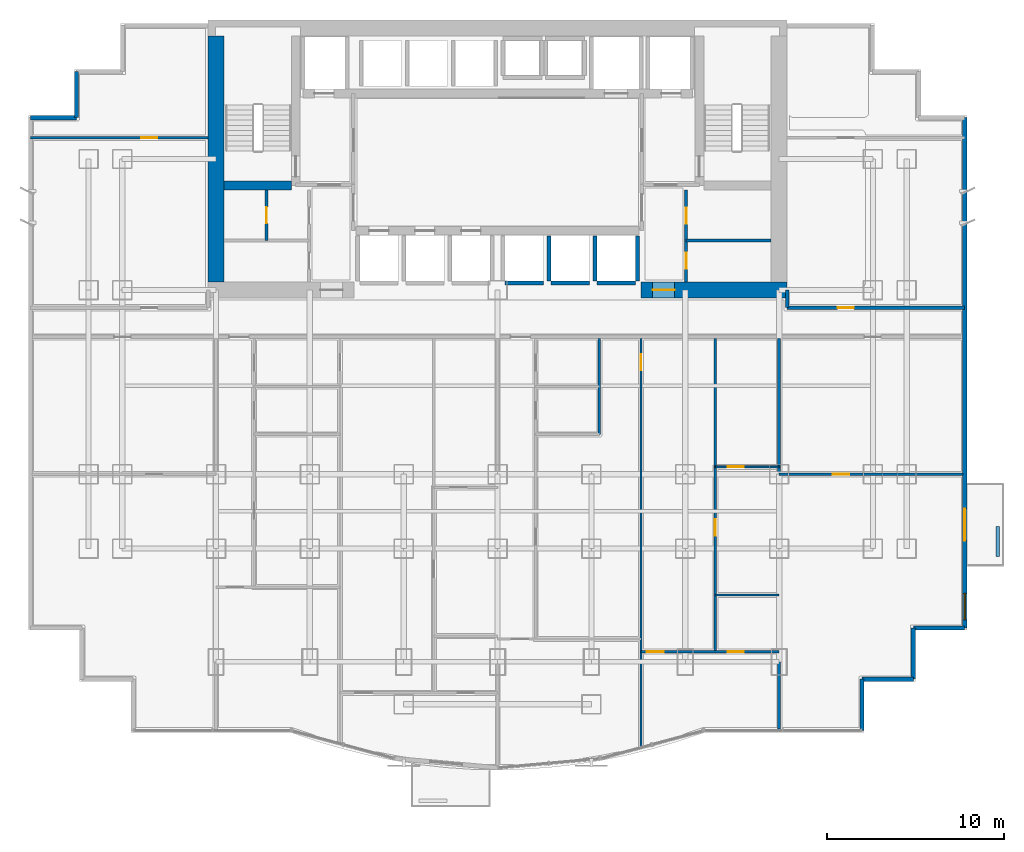
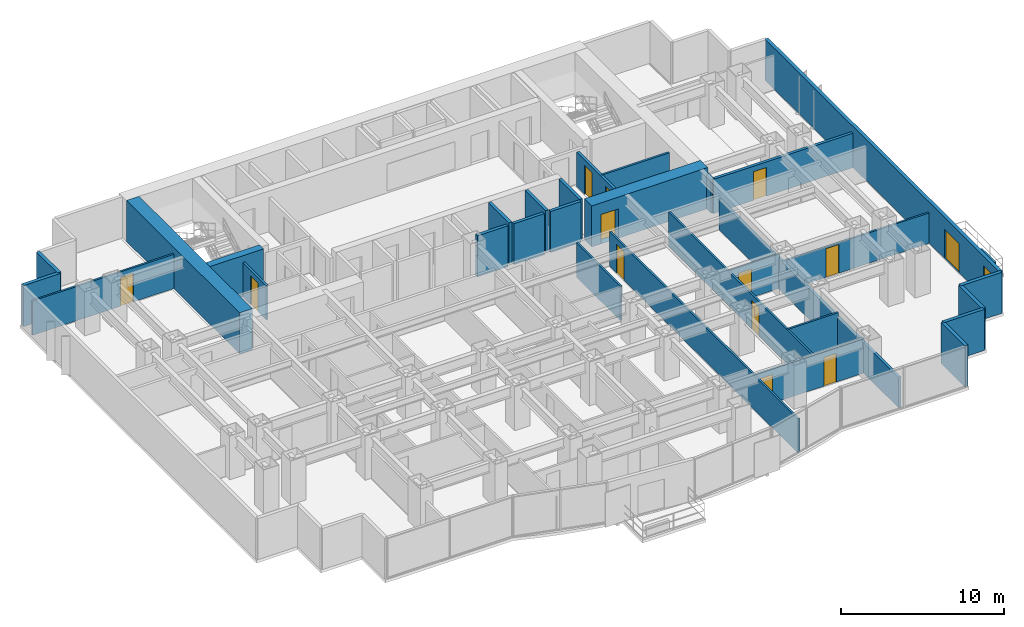
# One storey, part 6 of 10: 31 walls, 13 doors, 1 window, 14 openings.
"""IFC4 building model written with IfcOpenShell, lengths in metres."""

from ifc_helpers import new_model, si_unit, direction, frame, frame_2d, origin, place, context, subcontext, project, spatial, rectangle, extrude, material, layer, layer_set, type_object, element, fill, save


model = new_model("IFC4")

# Units and contexts
model_context = context("Model", 3, precision=1e-05, world=origin(), true_north=direction((0.0, 1.0)))
body_context = subcontext(model_context, "Body", "Model", "MODEL_VIEW")
ifc_project = project(units=[si_unit("LENGTHUNIT", "METRE"), si_unit("AREAUNIT", "SQUARE_METRE"), si_unit("VOLUMEUNIT", "CUBIC_METRE"), si_unit("PLANEANGLEUNIT", "RADIAN"), si_unit("MASSUNIT", "GRAM", prefix="KILO")], contexts=[model_context])

# Site, building, storey
site_placement = place(None, origin())
site = spatial("IfcSite", under=ifc_project, at=site_placement, CompositionType="ELEMENT")
building_placement = place(site_placement, origin())
building = spatial("IfcBuilding", under=site, at=building_placement, Name="Qianlan Lanfeng Residences", CompositionType="ELEMENT")
storey_placement = place(building_placement, frame((0.0, 0.0, 50.60009765625)))
storey = spatial("IfcBuildingStorey", under=building, at=storey_placement, Name="L13", CompositionType="ELEMENT", Elevation=50.60009765625)

# Walls
ifc_material_1 = material(Name="Concrete C70", Category="concrete")
ifc_layer_1 = layer(ifc_material_1, 0.5)
ifc_layer_set_1 = layer_set([ifc_layer_1], Name="Concrete C70")
wall_type_1 = type_object("IfcWallType", Name="CW-RC-500", PredefinedType="SHEAR", material=ifc_layer_set_1)
wall_1_placement = place(storey_placement, frame((11.050048828125, 31.10009765625, 0.0), z_axis=(0.0, 0.0, 1.0), x_axis=(1.0, 0.0, 0.0)))
element("IfcWall", 1, at=wall_1_placement, inside=storey, type_object=wall_type_1, Name="L13 Core Shear Wall ST1S", PredefinedType="SHEAR", context=body_context, shape_type="SweptSolid", body=[
    extrude(rectangle(XDim=3.800048828125, YDim=0.5, at=frame_2d((1.89990234375, 0.0))), origin(), (0.0, 0.0, 1.0), 3.079833984375),
])
ifc_layer_2 = layer(ifc_material_1, 0.89990234375)
ifc_layer_set_2 = layer_set([ifc_layer_2], Name="Concrete C70")
wall_type_2 = type_object("IfcWallType", Name="CW-RC-900", PredefinedType="SHEAR", material=ifc_layer_set_2)
wall_2_placement = place(storey_placement, frame((10.60009765625, 25.64990234375, 0.0), z_axis=(0.0, 0.0, 1.0), x_axis=(0.0, 1.0, 0.0)))
element("IfcWall", 2, at=wall_2_placement, inside=storey, type_object=wall_type_2, Name="L13 Core Shear Wall W", PredefinedType="SHEAR", context=body_context, shape_type="SweptSolid", body=[
    extrude(rectangle(XDim=13.900146484375, YDim=0.89990234375, at=frame_2d((6.9501953125, 0.0))), origin(), (0.0, 0.0, 1.0), 3.079833984375),
])

# Wall, opening, door
wall_3_placement = place(storey_placement, frame((34.60009765625, 25.199951171875, 0.0), z_axis=(0.0, 0.0, 1.0), x_axis=(1.0, 0.0, 0.0)))
wall_3 = element("IfcWall", 3, at=wall_3_placement, inside=storey, type_object=wall_type_2, Name="L13 Core Shear Wall SE", PredefinedType="SHEAR", context=body_context, shape_type="SweptSolid", body=[
    extrude(rectangle(XDim=8.25, YDim=0.89990234375, at=frame_2d((4.125, 0.0))), origin(), (0.0, 0.0, 1.0), 3.079833984375),
])
opening_1_placement = place(wall_3_placement, frame((0.64990234375, 0.0, 0.0)))
opening_1 = element("IfcOpeningElement", 4, at=opening_1_placement, cuts=wall_3, Name="Opening L13-D02", PredefinedType="OPENING", context=body_context, shape_type="SweptSolid", body=[
    extrude(rectangle(XDim=1.25, YDim=2.199951171875, at=frame_2d((0.625, 1.10009765625))), frame((0.0, 0.4599609375, 0.0), z_axis=(0.0, -1.0, 0.0), x_axis=(1.0, 0.0, 0.0)), (0.0, 0.0, 1.0), 0.919921875),
])
ifc_material_2 = material(Name="Painted Galvanised Steel Fire Door", Category="steel")
door_type_1 = type_object("IfcDoorType", Name="DT-FFL", OperationType="NOTDEFINED", PredefinedType="DOOR", material=ifc_material_2)
door_1_placement = place(opening_1_placement, frame((1.25, 0.0, 0.0), z_axis=(0.0, 0.0, 1.0), x_axis=(-1.0, 0.0, 0.0)))
door_1 = element("IfcDoor", 5, at=door_1_placement, inside=storey, type_object=door_type_1, Name="L13 East Core Lobby Smoke Door L13-D02 (DT-FFL)", OperationType="SINGLE_SWING_LEFT", OverallHeight=2.199951171875, OverallWidth=1.25, PredefinedType="DOOR", context=body_context, shape_type="SweptSolid", body=[
    extrude(rectangle(XDim=1.25, YDim=2.199951171875, at=frame_2d((0.625, 1.10009765625))), frame((0.0, 0.02490234375, 0.0), z_axis=(0.0, -1.0, 0.0), x_axis=(1.0, 0.0, 0.0)), (0.0, 0.0, 1.0), 0.050048828125),
])
fill(opening_1, door_1)

# Walls
ifc_material_3 = material(Name="Concrete C42", Category="concrete")
ifc_layer_3 = layer(ifc_material_3, 0.239990234375)
ifc_layer_set_3 = layer_set([ifc_layer_3], Name="Concrete C42")
wall_type_3 = type_object("IfcWallType", Name="EW-240", PredefinedType="SOLIDWALL", material=ifc_layer_set_3)
for number, where, z_axis, x_axis, name in (
    (6, (47.080078125, 0.320068359375, 0.0), (0.0, 0.0, 1.0), (0.0, 1.0, 0.0), "L13 Exterior Facade Spandrel Wall 6"),
    (7, (47.080078125, 3.219970703125, 0.0), (0.0, 0.0, 1.0), (1.0, 0.0, 0.0), "L13 Exterior Facade Spandrel Wall 7"),
):
    element("IfcWall", number, at=place(storey_placement, frame(where, z_axis=z_axis, x_axis=x_axis)), inside=storey, type_object=wall_type_3, Name=name, PredefinedType="SOLIDWALL", context=body_context, shape_type="SweptSolid", body=[
        extrude(rectangle(XDim=2.89990234375, YDim=0.239990234375, at=frame_2d((1.449951171875, 0.0))), origin(), (0.0, 0.0, 1.0), 3.079833984375),
    ])
wall_4_placement = place(storey_placement, frame((49.97998046875, 3.219970703125, 0.0), z_axis=(0.0, 0.0, 1.0), x_axis=(0.0, 1.0, 0.0)))
element("IfcWall", 8, at=wall_4_placement, inside=storey, type_object=wall_type_3, Name="L13 Exterior Facade Spandrel Wall 8", PredefinedType="SOLIDWALL", context=body_context, shape_type="SweptSolid", body=[
    extrude(rectangle(XDim=2.900146484375, YDim=0.239990234375, at=frame_2d((1.4501953125, 0.0))), origin(), (0.0, 0.0, 1.0), 3.079833984375),
])
wall_5_placement = place(storey_placement, frame((49.97998046875, 6.1201171875, 0.0), z_axis=(0.0, 0.0, 1.0), x_axis=(1.0, 0.0, 0.0)))
element("IfcWall", 9, at=wall_5_placement, inside=storey, type_object=wall_type_3, Name="L13 Exterior Facade Spandrel Wall 9", PredefinedType="SOLIDWALL", context=body_context, shape_type="SweptSolid", body=[
    extrude(rectangle(XDim=2.89990234375, YDim=0.239990234375, at=frame_2d((1.449951171875, 0.0))), origin(), (0.0, 0.0, 1.0), 3.079833984375),
])

# Wall, openings, door, window
wall_6_placement = place(storey_placement, frame((52.8798828125, 6.1201171875, 0.0), z_axis=(0.0, 0.0, 1.0), x_axis=(0.0, 1.0, 0.0)))
wall_6 = element("IfcWall", 10, at=wall_6_placement, inside=storey, type_object=wall_type_3, Name="L13 Terrace/Balcony Access Exterior Wall 10", PredefinedType="SOLIDWALL", context=body_context, shape_type="SweptSolid", body=[
    extrude(rectangle(XDim=28.809814453125, YDim=0.239990234375, at=frame_2d((14.40478515625, 0.0))), origin(), (0.0, 0.0, 1.0), 3.079833984375),
])
opening_2_placement = place(wall_6_placement, frame((4.929931640625, 0.0, 0.0)))
opening_2 = element("IfcOpeningElement", 11, at=opening_2_placement, cuts=wall_6, Name="Opening L13-D-EB-S", PredefinedType="OPENING", context=body_context, shape_type="SweptSolid", body=[
    extrude(rectangle(XDim=1.800048828125, YDim=2.199951171875, at=frame_2d((0.89990234375, 1.10009765625))), frame((0.0, 0.1298828125, 0.0), z_axis=(0.0, -1.0, 0.0), x_axis=(1.0, 0.0, 0.0)), (0.0, 0.0, 1.0), 0.260009765625),
])
opening_3_placement = place(wall_6_placement, frame((0.449951171875, 0.0, 0.75)))
opening_3 = element("IfcOpeningElement", 12, at=opening_3_placement, cuts=wall_6, Name="Opening W-02", PredefinedType="OPENING", context=body_context, shape_type="SweptSolid", body=[
    extrude(rectangle(XDim=1.5, YDim=1.60009765625, at=frame_2d((0.75, 0.800048828125))), frame((0.0, 0.1298828125, 0.0), z_axis=(0.0, -1.0, 0.0), x_axis=(1.0, 0.0, 0.0)), (0.0, 0.0, 1.0), 0.260009765625),
])
ifc_material_4 = material(Name="Anodised Bronze Aluminium Framed Glass", Category="aluminium")
door_type_2 = type_object("IfcDoorType", Name="DT-BAL1", OperationType="NOTDEFINED", PredefinedType="DOOR", material=ifc_material_4)
door_2_placement = place(opening_2_placement, frame((1.800048828125, 0.0, 0.0), z_axis=(0.0, 0.0, 1.0), x_axis=(-1.0, 0.0, 0.0)))
door_2 = element("IfcDoor", 13, at=door_2_placement, inside=storey, type_object=door_type_2, Name="L13 Exterior Access Door EB-S", OperationType="DOUBLE_DOOR_SLIDING", OverallHeight=2.199951171875, OverallWidth=1.800048828125, PredefinedType="DOOR", context=body_context, shape_type="SweptSolid", body=[
    extrude(rectangle(XDim=1.800048828125, YDim=2.199951171875, at=frame_2d((0.89990234375, 1.10009765625))), frame((0.0, 0.02490234375, 0.0), z_axis=(0.0, -1.0, 0.0), x_axis=(1.0, 0.0, 0.0)), (0.0, 0.0, 1.0), 0.050048828125),
])
fill(opening_2, door_2)
ifc_material_5 = material(Name="Anodised Bronze Aluminium Framed Double Glazing", Category="aluminium")
window_type = type_object("IfcWindowType", Name="W-02", PartitioningType="SINGLE_PANEL", PredefinedType="WINDOW", material=ifc_material_5)
window_placement = place(opening_3_placement, origin())
window = element("IfcWindow", 14, at=window_placement, inside=storey, type_object=window_type, Name="L13 Exterior Window W-02", OverallHeight=1.60009765625, OverallWidth=1.5, PartitioningType="SINGLE_PANEL", PredefinedType="WINDOW", context=body_context, shape_type="SweptSolid", body=[
    extrude(rectangle(XDim=1.5, YDim=1.60009765625, at=frame_2d((0.75, 0.800048828125))), frame((0.0, 0.030029296875, 0.0), z_axis=(0.0, -1.0, 0.0), x_axis=(1.0, 0.0, 0.0)), (0.0, 0.0, 1.0), 0.06005859375),
])
fill(opening_3, window)

# Walls
wall_7_placement = place(storey_placement, frame((2.719970703125, 37.530029296875, 0.0), z_axis=(0.0, 0.0, 1.0), x_axis=(0.0, -1.0, 0.0)))
element("IfcWall", 15, at=wall_7_placement, inside=storey, type_object=wall_type_3, Name="L13 Exterior Facade Spandrel Wall 19", PredefinedType="SOLIDWALL", context=body_context, shape_type="SweptSolid", body=[
    extrude(rectangle(XDim=2.60009765625, YDim=0.239990234375, at=frame_2d((1.300048828125, 0.0))), origin(), (0.0, 0.0, 1.0), 3.079833984375),
])
wall_8_placement = place(storey_placement, frame((2.719970703125, 34.929931640625, 0.0), z_axis=(0.0, 0.0, 1.0), x_axis=(-1.0, 0.0, 0.0)))
element("IfcWall", 16, at=wall_8_placement, inside=storey, type_object=wall_type_3, Name="L13 Exterior Facade Spandrel Wall 20", PredefinedType="SOLIDWALL", context=body_context, shape_type="SweptSolid", body=[
    extrude(rectangle(XDim=2.599853515625, YDim=0.239990234375, at=frame_2d((1.2998046875, 0.0))), origin(), (0.0, 0.0, 1.0), 3.079833984375),
])
ifc_layer_4 = layer(ifc_material_3, 0.199951171875)
ifc_layer_set_4 = layer_set([ifc_layer_4], Name="Concrete C42")
wall_type_4 = type_object("IfcWallType", Name="PL-TREE-200", PredefinedType="PARAPET", material=ifc_layer_set_4)
wall_9_placement = place(storey_placement, frame((54.75, 10.14990234375, 0.0), z_axis=(0.0, 0.0, 1.0), x_axis=(0.0, 1.0, 0.0)))
element("IfcWall", 17, at=wall_9_placement, inside=storey, type_object=wall_type_4, Name="L13 East Tree Planter Curb EB-S", PredefinedType="PARAPET", context=body_context, shape_type="SweptSolid", body=[
    extrude(rectangle(XDim=1.7001953125, YDim=0.199951171875, at=frame_2d((0.85009765625, 0.0))), origin(), (0.0, 0.0, 1.0), 0.64990234375),
])

# Wall, opening, door
ifc_material_6 = material(Name="Demountable Acoustic Framing Partition 110 mm")
ifc_layer_5 = layer(ifc_material_6, 0.110107421875)
ifc_layer_set_5 = layer_set([ifc_layer_5], Name="Demountable Acoustic Framing Partition 110 mm")
wall_type_5 = type_object("IfcWallType", Name="PW-110", PredefinedType="MOVABLE", material=ifc_layer_set_5)
wall_10_placement = place(storey_placement, frame((38.800048828125, 15.214111328125, 0.0), z_axis=(0.0, 0.0, 1.0), x_axis=(1.0, 0.0, 0.0)))
wall_10 = element("IfcWall", 18, at=wall_10_placement, inside=storey, type_object=wall_type_5, Name="L13 U02 Wardrobe Split", PredefinedType="MOVABLE", context=body_context, shape_type="SweptSolid", body=[
    extrude(rectangle(XDim=3.599853515625, YDim=0.110107421875, at=frame_2d((1.7998046875, 0.0))), origin(), (0.0, 0.0, 1.0), 2.56982421875),
])
opening_4_placement = place(wall_10_placement, frame((0.68994140625, 0.0, 0.0)))
opening_4 = element("IfcOpeningElement", 19, at=opening_4_placement, cuts=wall_10, Name="Opening L13-D35", PredefinedType="OPENING", context=body_context, shape_type="SweptSolid", body=[
    extrude(rectangle(XDim=0.919921875, YDim=2.14990234375, at=frame_2d((0.4599609375, 1.074951171875))), frame((0.0, 0.06494140625, 0.0), z_axis=(0.0, -1.0, 0.0), x_axis=(1.0, 0.0, 0.0)), (0.0, 0.0, 1.0), 0.130126953125),
])
ifc_material_7 = material(Name="Glazed Timber Kitchen/Study Door", Category="wood")
door_type_3 = type_object("IfcDoorType", Name="DT-INT", OperationType="NOTDEFINED", PredefinedType="DOOR", material=ifc_material_7)
door_3_placement = place(opening_4_placement, origin())
door_3 = element("IfcDoor", 20, at=door_3_placement, inside=storey, type_object=door_type_3, Name="L13 U02 Dressing Inner Door L13-D35 (DT-INT)", OperationType="SINGLE_SWING_RIGHT", OverallHeight=2.14990234375, OverallWidth=0.919921875, PredefinedType="DOOR", context=body_context, shape_type="SweptSolid", body=[
    extrude(rectangle(XDim=0.919921875, YDim=2.14990234375, at=frame_2d((0.4599609375, 1.074951171875))), frame((0.0, 0.02490234375, 0.0), z_axis=(0.0, -1.0, 0.0), x_axis=(1.0, 0.0, 0.0)), (0.0, 0.0, 1.0), 0.050048828125),
])
fill(opening_4, door_3)

ifc_material_8 = material(Name="Moisture-Resistant Gypsum Partition 135 mm")
ifc_layer_6 = layer(ifc_material_8, 0.135009765625)
ifc_layer_set_6 = layer_set([ifc_layer_6], Name="Moisture-Resistant Gypsum Partition 135 mm")
wall_type_6 = type_object("IfcWallType", Name="PW-135", PredefinedType="PARTITIONING", material=ifc_layer_set_6)
wall_11_placement = place(storey_placement, frame((34.60009765625, -0.64990234375, 0.0), z_axis=(0.0, 0.0, 1.0), x_axis=(0.0, 1.0, 0.0)))
wall_11 = element("IfcWall", 21, at=wall_11_placement, inside=storey, type_object=wall_type_6, Name="L13 U02 Bay Spine Wall 1", PredefinedType="PARTITIONING", context=body_context, shape_type="SweptSolid", body=[
    extrude(rectangle(XDim=23.099853515625, YDim=0.135009765625, at=frame_2d((11.5498046875, 0.0))), origin(), (0.0, 0.0, 1.0), 2.56982421875),
])
opening_5_placement = place(wall_11_placement, frame((21.31494140625, 0.0, 0.0)))
opening_5 = element("IfcOpeningElement", 22, at=opening_5_placement, cuts=wall_11, Name="Opening L13-D27", PredefinedType="OPENING", context=body_context, shape_type="SweptSolid", body=[
    extrude(rectangle(XDim=0.919921875, YDim=2.14990234375, at=frame_2d((0.4599609375, 1.074951171875))), frame((0.0, 0.07763671875, 0.0), z_axis=(0.0, -1.0, 0.0), x_axis=(1.0, 0.0, 0.0)), (0.0, 0.0, 1.0), 0.155029296875),
])
door_4_placement = place(opening_5_placement, origin())
door_4 = element("IfcDoor", 23, at=door_4_placement, inside=storey, type_object=door_type_3, Name="L13 U02 Internal Hall Door L13-D27 (DT-INT)", OperationType="SINGLE_SWING_LEFT", OverallHeight=2.14990234375, OverallWidth=0.919921875, PredefinedType="DOOR", context=body_context, shape_type="SweptSolid", body=[
    extrude(rectangle(XDim=0.919921875, YDim=2.14990234375, at=frame_2d((0.4599609375, 1.074951171875))), frame((0.0, 0.02490234375, 0.0), z_axis=(0.0, -1.0, 0.0), x_axis=(1.0, 0.0, 0.0)), (0.0, 0.0, 1.0), 0.050048828125),
])
fill(opening_5, door_4)

# Wall
wall_12_placement = place(storey_placement, frame((32.25, 17.050048828125, 0.0), z_axis=(0.0, 0.0, 1.0), x_axis=(0.0, 1.0, 0.0)))
element("IfcWall", 24, at=wall_12_placement, inside=storey, type_object=wall_type_6, Name="L13 U02 Dining East Wall", PredefinedType="PARTITIONING", context=body_context, shape_type="SweptSolid", body=[
    extrude(rectangle(XDim=5.39990234375, YDim=0.135009765625, at=frame_2d((2.699951171875, 0.0))), origin(), (0.0, 0.0, 1.0), 2.56982421875),
])

# Wall, openings, doors
wall_13_placement = place(storey_placement, frame((34.60009765625, 4.779052734375, 0.0), z_axis=(0.0, 0.0, 1.0), x_axis=(1.0, 0.0, 0.0)))
wall_13 = element("IfcWall", 25, at=wall_13_placement, inside=storey, type_object=wall_type_6, Name="L13 U02 Master Bedroom North Wall", PredefinedType="PARTITIONING", context=body_context, shape_type="SweptSolid", body=[
    extrude(rectangle(XDim=7.7998046875, YDim=0.135009765625, at=frame_2d((3.89990234375, 0.0))), origin(), (0.0, 0.0, 1.0), 2.56982421875),
])
opening_6_placement = place(wall_13_placement, frame((0.324951171875, 0.0, 0.0)))
opening_6 = element("IfcOpeningElement", 26, at=opening_6_placement, cuts=wall_13, Name="Opening L13-D32", PredefinedType="OPENING", context=body_context, shape_type="SweptSolid", body=[
    extrude(rectangle(XDim=0.949951171875, YDim=2.14990234375, at=frame_2d((0.47509765625, 1.074951171875))), frame((0.0, 0.07763671875, 0.0), z_axis=(0.0, -1.0, 0.0), x_axis=(1.0, 0.0, 0.0)), (0.0, 0.0, 1.0), 0.155029296875),
])
opening_7_placement = place(wall_13_placement, frame((4.89990234375, 0.0, 0.0)))
opening_7 = element("IfcOpeningElement", 27, at=opening_7_placement, cuts=wall_13, Name="Opening L13-D33", PredefinedType="OPENING", context=body_context, shape_type="SweptSolid", body=[
    extrude(rectangle(XDim=0.89990234375, YDim=2.14990234375, at=frame_2d((0.449951171875, 1.074951171875))), frame((0.0, 0.07763671875, 0.0), z_axis=(0.0, -1.0, 0.0), x_axis=(1.0, 0.0, 0.0)), (0.0, 0.0, 1.0), 0.155029296875),
])
ifc_material_9 = material(Name="Painted Solid-Core Timber Leaf", Category="wood")
door_type_4 = type_object("IfcDoorType", Name="DT-BED", OperationType="NOTDEFINED", PredefinedType="DOOR", material=ifc_material_9)
door_5_placement = place(opening_6_placement, origin())
door_5 = element("IfcDoor", 28, at=door_5_placement, inside=storey, type_object=door_type_4, Name="L13 U02 Master Bedroom Door L13-D32 (DT-BED)", OperationType="SINGLE_SWING_RIGHT", OverallHeight=2.14990234375, OverallWidth=0.949951171875, PredefinedType="DOOR", context=body_context, shape_type="SweptSolid", body=[
    extrude(rectangle(XDim=0.949951171875, YDim=2.14990234375, at=frame_2d((0.47509765625, 1.074951171875))), frame((0.0, 0.02490234375, 0.0), z_axis=(0.0, -1.0, 0.0), x_axis=(1.0, 0.0, 0.0)), (0.0, 0.0, 1.0), 0.050048828125),
])
fill(opening_6, door_5)
ifc_material_10 = material(Name="Moisture-Resistant Timber Leaf", Category="wood")
door_type_5 = type_object("IfcDoorType", Name="DT-WC", OperationType="NOTDEFINED", PredefinedType="DOOR", material=ifc_material_10)
door_6_placement = place(opening_7_placement, origin())
door_6 = element("IfcDoor", 29, at=door_6_placement, inside=storey, type_object=door_type_5, Name="L13 U02 En-Suite Bathroom Door L13-D33 (DT-WC)", OperationType="SINGLE_SWING_RIGHT", OverallHeight=2.14990234375, OverallWidth=0.89990234375, PredefinedType="DOOR", context=body_context, shape_type="SweptSolid", body=[
    extrude(rectangle(XDim=0.89990234375, YDim=2.14990234375, at=frame_2d((0.449951171875, 1.074951171875))), frame((0.0, 0.02490234375, 0.0), z_axis=(0.0, -1.0, 0.0), x_axis=(1.0, 0.0, 0.0)), (0.0, 0.0, 1.0), 0.050048828125),
])
fill(opening_7, door_6)

# Wall, opening, door
wall_14_placement = place(storey_placement, frame((38.800048828125, 4.779052734375, 0.0), z_axis=(0.0, 0.0, 1.0), x_axis=(0.0, 1.0, 0.0)))
wall_14 = element("IfcWall", 30, at=wall_14_placement, inside=storey, type_object=wall_type_6, Name="L13 U02 Master Passage Wall", PredefinedType="PARTITIONING", context=body_context, shape_type="SweptSolid", body=[
    extrude(rectangle(XDim=17.6708984375, YDim=0.135009765625, at=frame_2d((8.83544921875, 0.0))), origin(), (0.0, 0.0, 1.0), 2.56982421875),
])
opening_8_placement = place(wall_14_placement, frame((6.55810546875, 0.0, 0.0)))
opening_8 = element("IfcOpeningElement", 31, at=opening_8_placement, cuts=wall_14, Name="Opening L13-D34", PredefinedType="OPENING", context=body_context, shape_type="SweptSolid", body=[
    extrude(rectangle(XDim=0.919921875, YDim=2.14990234375, at=frame_2d((0.4599609375, 1.074951171875))), frame((0.0, 0.07763671875, 0.0), z_axis=(0.0, -1.0, 0.0), x_axis=(1.0, 0.0, 0.0)), (0.0, 0.0, 1.0), 0.155029296875),
])
door_7_placement = place(opening_8_placement, origin())
door_7 = element("IfcDoor", 32, at=door_7_placement, inside=storey, type_object=door_type_3, Name="L13 U02 Wardrobe Door L13-D34 (DT-INT)", OperationType="SINGLE_SWING_RIGHT", OverallHeight=2.14990234375, OverallWidth=0.919921875, PredefinedType="DOOR", context=body_context, shape_type="SweptSolid", body=[
    extrude(rectangle(XDim=0.919921875, YDim=2.14990234375, at=frame_2d((0.4599609375, 1.074951171875))), frame((0.0, 0.02490234375, 0.0), z_axis=(0.0, -1.0, 0.0), x_axis=(1.0, 0.0, 0.0)), (0.0, 0.0, 1.0), 0.050048828125),
])
fill(opening_8, door_7)

# Wall
wall_15_placement = place(storey_placement, frame((38.800048828125, 7.97900390625, 0.0), z_axis=(0.0, 0.0, 1.0), x_axis=(1.0, 0.0, 0.0)))
element("IfcWall", 33, at=wall_15_placement, inside=storey, type_object=wall_type_6, Name="L13 U02 En-Suite North Wall", PredefinedType="PARTITIONING", context=body_context, shape_type="SweptSolid", body=[
    extrude(rectangle(XDim=3.599853515625, YDim=0.135009765625, at=frame_2d((1.7998046875, 0.0))), origin(), (0.0, 0.0, 1.0), 2.56982421875),
])

# Wall, opening, door
wall_16_placement = place(storey_placement, frame((42.39990234375, 14.800048828125, 0.0), z_axis=(0.0, 0.0, 1.0), x_axis=(1.0, 0.0, 0.0)))
wall_16 = element("IfcWall", 34, at=wall_16_placement, inside=storey, type_object=wall_type_6, Name="L13 SEP Mid Partition", PredefinedType="PARTITIONING", context=body_context, shape_type="SweptSolid", body=[
    extrude(rectangle(XDim=10.380126953125, YDim=0.135009765625, at=frame_2d((5.18994140625, 0.0))), origin(), (0.0, 0.0, 1.0), 2.27490234375),
])
opening_9_placement = place(wall_16_placement, frame((3.030029296875, 0.0, 0.0)))
opening_9 = element("IfcOpeningElement", 35, at=opening_9_placement, cuts=wall_16, Name="Opening L13-D38", PredefinedType="OPENING", context=body_context, shape_type="SweptSolid", body=[
    extrude(rectangle(XDim=0.919921875, YDim=2.14990234375, at=frame_2d((0.4599609375, 1.074951171875))), frame((0.0, 0.07763671875, 0.0), z_axis=(0.0, -1.0, 0.0), x_axis=(1.0, 0.0, 0.0)), (0.0, 0.0, 1.0), 0.155029296875),
])
door_8_placement = place(opening_9_placement, origin())
door_8 = element("IfcDoor", 36, at=door_8_placement, inside=storey, type_object=door_type_3, Name="L13 SEP Inner Door L13-D38 (DT-INT)", OperationType="SINGLE_SWING_RIGHT", OverallHeight=2.14990234375, OverallWidth=0.919921875, PredefinedType="DOOR", context=body_context, shape_type="SweptSolid", body=[
    extrude(rectangle(XDim=0.919921875, YDim=2.14990234375, at=frame_2d((0.4599609375, 1.074951171875))), frame((0.0, 0.02490234375, 0.0), z_axis=(0.0, -1.0, 0.0), x_axis=(1.0, 0.0, 0.0)), (0.0, 0.0, 1.0), 0.050048828125),
])
fill(opening_9, door_8)

wall_17_placement = place(storey_placement, frame((0.1201171875, 33.800048828125, 0.0), z_axis=(0.0, 0.0, 1.0), x_axis=(1.0, 0.0, 0.0)))
wall_17 = element("IfcWall", 37, at=wall_17_placement, inside=storey, type_object=wall_type_6, Name="L13 WW North Wing Wall", PredefinedType="PARTITIONING", context=body_context, shape_type="SweptSolid", body=[
    extrude(rectangle(XDim=10.02978515625, YDim=0.135009765625, at=frame_2d((5.014892578125, 0.0))), origin(), (0.0, 0.0, 1.0), 2.56982421875),
])
opening_10_placement = place(wall_17_placement, frame((6.2548828125, 0.0, 0.0)))
opening_10 = element("IfcOpeningElement", 38, at=opening_10_placement, cuts=wall_17, Name="Opening L13-D40", PredefinedType="OPENING", context=body_context, shape_type="SweptSolid", body=[
    extrude(rectangle(XDim=0.919921875, YDim=2.14990234375, at=frame_2d((0.4599609375, 1.074951171875))), frame((0.0, 0.07763671875, 0.0), z_axis=(0.0, -1.0, 0.0), x_axis=(1.0, 0.0, 0.0)), (0.0, 0.0, 1.0), 0.155029296875),
])
door_9_placement = place(opening_10_placement, origin())
door_9 = element("IfcDoor", 39, at=door_9_placement, inside=storey, type_object=door_type_3, Name="L13 WW Inner Salon Door L13-D40 (DT-INT)", OperationType="SINGLE_SWING_RIGHT", OverallHeight=2.14990234375, OverallWidth=0.919921875, PredefinedType="DOOR", context=body_context, shape_type="SweptSolid", body=[
    extrude(rectangle(XDim=0.919921875, YDim=2.14990234375, at=frame_2d((0.4599609375, 1.074951171875))), frame((0.0, 0.02490234375, 0.0), z_axis=(0.0, -1.0, 0.0), x_axis=(1.0, 0.0, 0.0)), (0.0, 0.0, 1.0), 0.050048828125),
])
fill(opening_10, door_9)

ifc_material_11 = material(Name="Acoustic Drywall Partition 150 mm")
ifc_layer_7 = layer(ifc_material_11, 0.14990234375)
ifc_layer_set_7 = layer_set([ifc_layer_7], Name="Acoustic Drywall Partition 150 mm")
wall_type_7 = type_object("IfcWallType", Name="PW-150", PredefinedType="PARTITIONING", material=ifc_layer_set_7)
wall_18_placement = place(storey_placement, frame((13.449951171875, 28.0, 0.0), z_axis=(0.0, 0.0, 1.0), x_axis=(0.0, 1.0, 0.0)))
wall_18 = element("IfcWall", 40, at=wall_18_placement, inside=storey, type_object=wall_type_7, Name="L13 Core West V4", PredefinedType="PARTITIONING", context=body_context, shape_type="SweptSolid", body=[
    extrude(rectangle(XDim=2.85009765625, YDim=0.14990234375, at=frame_2d((1.425048828125, 0.0))), origin(), (0.0, 0.0, 1.0), 2.56982421875),
])
opening_11_placement = place(wall_18_placement, frame((0.965087890625, 0.0, 0.0)))
opening_11 = element("IfcOpeningElement", 41, at=opening_11_placement, cuts=wall_18, Name="Opening L13-D11", PredefinedType="OPENING", context=body_context, shape_type="SweptSolid", body=[
    extrude(rectangle(XDim=0.919921875, YDim=2.14990234375, at=frame_2d((0.4599609375, 1.074951171875))), frame((0.0, 0.0849609375, 0.0), z_axis=(0.0, -1.0, 0.0), x_axis=(1.0, 0.0, 0.0)), (0.0, 0.0, 1.0), 0.169921875),
])
door_10_placement = place(opening_11_placement, origin())
door_10 = element("IfcDoor", 42, at=door_10_placement, inside=storey, type_object=door_type_3, Name="L13 Linen Store Door L13-D11 (DT-INT)", OperationType="SINGLE_SWING_LEFT", OverallHeight=2.14990234375, OverallWidth=0.919921875, PredefinedType="DOOR", context=body_context, shape_type="SweptSolid", body=[
    extrude(rectangle(XDim=0.919921875, YDim=2.14990234375, at=frame_2d((0.4599609375, 1.074951171875))), frame((0.0, 0.02490234375, 0.0), z_axis=(0.0, -1.0, 0.0), x_axis=(1.0, 0.0, 0.0)), (0.0, 0.0, 1.0), 0.050048828125),
])
fill(opening_11, door_10)

# Wall
wall_19_placement = place(storey_placement, frame((37.14990234375, 28.0, 0.0), z_axis=(0.0, 0.0, 1.0), x_axis=(1.0, 0.0, 0.0)))
element("IfcWall", 43, at=wall_19_placement, inside=storey, type_object=wall_type_7, Name="L13 Core East H4", PredefinedType="PARTITIONING", context=body_context, shape_type="SweptSolid", body=[
    extrude(rectangle(XDim=4.800048828125, YDim=0.14990234375, at=frame_2d((2.39990234375, 0.0))), origin(), (0.0, 0.0, 1.0), 2.56982421875),
])

# Wall, openings, doors
ifc_material_12 = material(Name="Double-Layer Acoustic Gypsum Stud Wall 180 mm")
ifc_layer_8 = layer(ifc_material_12, 0.179931640625)
ifc_layer_set_8 = layer_set([ifc_layer_8], Name="Double-Layer Acoustic Gypsum Stud Wall 180 mm")
wall_type_8 = type_object("IfcWallType", Name="PW-180", PredefinedType="PARTITIONING", material=ifc_layer_set_8)
wall_20_placement = place(storey_placement, frame((37.14990234375, 25.64990234375, 0.0), z_axis=(0.0, 0.0, 1.0), x_axis=(0.0, 1.0, 0.0)))
wall_20 = element("IfcWall", 44, at=wall_20_placement, inside=storey, type_object=wall_type_8, Name="L13 Core East Service Room Wall", PredefinedType="PARTITIONING", context=body_context, shape_type="SweptSolid", body=[
    extrude(rectangle(XDim=5.2001953125, YDim=0.179931640625, at=frame_2d((2.60009765625, 0.0))), origin(), (0.0, 0.0, 1.0), 2.56982421875),
])
opening_12_placement = place(wall_20_placement, frame((0.739990234375, 0.0, 0.0)))
opening_12 = element("IfcOpeningElement", 45, at=opening_12_placement, cuts=wall_20, Name="Opening L13-D12", PredefinedType="OPENING", context=body_context, shape_type="SweptSolid", body=[
    extrude(rectangle(XDim=0.919921875, YDim=2.14990234375, at=frame_2d((0.4599609375, 1.074951171875))), frame((0.0, 0.10009765625, 0.0), z_axis=(0.0, -1.0, 0.0), x_axis=(1.0, 0.0, 0.0)), (0.0, 0.0, 1.0), 0.199951171875),
])
opening_13_placement = place(wall_20_placement, frame((3.2900390625, 0.0, 0.0)))
opening_13 = element("IfcOpeningElement", 46, at=opening_13_placement, cuts=wall_20, Name="Opening L13-D13", PredefinedType="OPENING", context=body_context, shape_type="SweptSolid", body=[
    extrude(rectangle(XDim=0.919921875, YDim=2.14990234375, at=frame_2d((0.4599609375, 1.074951171875))), frame((0.0, 0.10009765625, 0.0), z_axis=(0.0, -1.0, 0.0), x_axis=(1.0, 0.0, 0.0)), (0.0, 0.0, 1.0), 0.199951171875),
])
door_11_placement = place(opening_12_placement, origin())
door_11 = element("IfcDoor", 47, at=door_11_placement, inside=storey, type_object=door_type_3, Name="L13 Mail Closet Door L13-D12 (DT-INT)", OperationType="SINGLE_SWING_LEFT", OverallHeight=2.14990234375, OverallWidth=0.919921875, PredefinedType="DOOR", context=body_context, shape_type="SweptSolid", body=[
    extrude(rectangle(XDim=0.919921875, YDim=2.14990234375, at=frame_2d((0.4599609375, 1.074951171875))), frame((0.0, 0.02490234375, 0.0), z_axis=(0.0, -1.0, 0.0), x_axis=(1.0, 0.0, 0.0)), (0.0, 0.0, 1.0), 0.050048828125),
])
fill(opening_12, door_11)
door_12_placement = place(opening_13_placement, origin())
door_12 = element("IfcDoor", 48, at=door_12_placement, inside=storey, type_object=door_type_3, Name="L13 Refuse Closet Door L13-D13 (DT-INT)", OperationType="SINGLE_SWING_LEFT", OverallHeight=2.14990234375, OverallWidth=0.919921875, PredefinedType="DOOR", context=body_context, shape_type="SweptSolid", body=[
    extrude(rectangle(XDim=0.919921875, YDim=2.14990234375, at=frame_2d((0.4599609375, 1.074951171875))), frame((0.0, 0.02490234375, 0.0), z_axis=(0.0, -1.0, 0.0), x_axis=(1.0, 0.0, 0.0)), (0.0, 0.0, 1.0), 0.050048828125),
])
fill(opening_13, door_12)

# Wall
wall_21_placement = place(storey_placement, frame((42.39990234375, 0.419921875, 0.0), z_axis=(0.0, 0.0, 1.0), x_axis=(0.0, 1.0, 0.0)))
element("IfcWall", 49, at=wall_21_placement, inside=storey, type_object=wall_type_8, Name="L13 Wing Boundary Party Wall E0", PredefinedType="PARTITIONING", context=body_context, shape_type="SweptSolid", body=[
    extrude(rectangle(XDim=22.030029296875, YDim=0.179931640625, at=frame_2d((11.01513671875, 0.0))), origin(), (0.0, 0.0, 1.0), 2.27490234375),
])

# Wall, opening, door
ifc_material_13 = material(Name="Autoclaved Aerated Concrete Blockwork 200 mm", Category="masonry")
ifc_layer_9 = layer(ifc_material_13, 0.199951171875)
ifc_layer_set_9 = layer_set([ifc_layer_9], Name="Autoclaved Aerated Concrete Blockwork 200 mm")
wall_type_9 = type_object("IfcWallType", Name="PW-200", PredefinedType="PARTITIONING", material=ifc_layer_set_9)
wall_22_placement = place(storey_placement, frame((42.85009765625, 24.199951171875, 0.0), z_axis=(0.0, 0.0, 1.0), x_axis=(1.0, 0.0, 0.0)))
wall_22 = element("IfcWall", 50, at=wall_22_placement, inside=storey, type_object=wall_type_9, Name="L13 Corridor NE Wall", PredefinedType="PARTITIONING", context=body_context, shape_type="SweptSolid", body=[
    extrude(rectangle(XDim=10.02978515625, YDim=0.199951171875, at=frame_2d((5.014892578125, 0.0))), origin(), (0.0, 0.0, 1.0), 2.56982421875),
])
opening_14_placement = place(wall_22_placement, frame((2.85498046875, 0.0, 0.0)))
opening_14 = element("IfcOpeningElement", 51, at=opening_14_placement, cuts=wall_22, Name="Opening L13-D43", PredefinedType="OPENING", context=body_context, shape_type="SweptSolid", body=[
    extrude(rectangle(XDim=0.919921875, YDim=2.14990234375, at=frame_2d((0.4599609375, 1.074951171875))), frame((0.0, 0.10986328125, 0.0), z_axis=(0.0, -1.0, 0.0), x_axis=(1.0, 0.0, 0.0)), (0.0, 0.0, 1.0), 0.219970703125),
])
door_13_placement = place(opening_14_placement, origin())
door_13 = element("IfcDoor", 52, at=door_13_placement, inside=storey, type_object=door_type_3, Name="L13 EW Amenity Salon Door L13-D43 (DT-INT)", OperationType="SINGLE_SWING_LEFT", OverallHeight=2.14990234375, OverallWidth=0.919921875, PredefinedType="DOOR", context=body_context, shape_type="SweptSolid", body=[
    extrude(rectangle(XDim=0.919921875, YDim=2.14990234375, at=frame_2d((0.4599609375, 1.074951171875))), frame((0.0, 0.02490234375, 0.0), z_axis=(0.0, -1.0, 0.0), x_axis=(1.0, 0.0, 0.0)), (0.0, 0.0, 1.0), 0.050048828125),
])
fill(opening_14, door_13)

# Walls
wall_23_placement = place(storey_placement, frame((42.85009765625, 24.199951171875, 0.0), z_axis=(0.0, 0.0, 1.0), x_axis=(0.0, 1.0, 0.0)))
element("IfcWall", 53, at=wall_23_placement, inside=storey, type_object=wall_type_9, Name="L13 NE Wing Core Return Wall", PredefinedType="PARTITIONING", context=body_context, shape_type="SweptSolid", body=[
    extrude(rectangle(XDim=1.0, YDim=0.199951171875, at=frame_2d((0.5, 0.0))), origin(), (0.0, 0.0, 1.0), 2.56982421875),
])
ifc_material_14 = material(Name="Concrete C49", Category="concrete")
ifc_layer_10 = layer(ifc_material_14, 0.219970703125)
ifc_layer_set_10 = layer_set([ifc_layer_10], Name="Concrete C49")
wall_type_10 = type_object("IfcWallType", Name="SHW-220", PredefinedType="SOLIDWALL", material=ifc_layer_set_10)
wall_24_placement = place(storey_placement, frame((26.919921875, 25.60009765625, 0.0), z_axis=(0.0, 0.0, 1.0), x_axis=(1.0, 0.0, 0.0)))
element("IfcWall", 54, at=wall_24_placement, inside=storey, type_object=wall_type_10, Name="L13 Lift PL-M1 Shaft Back Wall S", PredefinedType="SOLIDWALL", context=body_context, shape_type="SweptSolid", body=[
    extrude(rectangle(XDim=2.16015625, YDim=0.219970703125, at=frame_2d((1.080078125, 0.0))), origin(), (0.0, 0.0, 1.0), 3.079833984375),
])
wall_25_placement = place(storey_placement, frame((29.39990234375, 25.719970703125, 0.0), z_axis=(0.0, 0.0, 1.0), x_axis=(0.0, 1.0, 0.0)))
element("IfcWall", 55, at=wall_25_placement, inside=storey, type_object=wall_type_10, Name="L13 Lift PL-M2 Shaft Wall W", PredefinedType="SOLIDWALL", context=body_context, shape_type="SweptSolid", body=[
    extrude(rectangle(XDim=2.530029296875, YDim=0.219970703125, at=frame_2d((1.26513671875, 0.0))), origin(), (0.0, 0.0, 1.0), 3.079833984375),
])
wall_26_placement = place(storey_placement, frame((29.52001953125, 25.60009765625, 0.0), z_axis=(0.0, 0.0, 1.0), x_axis=(1.0, 0.0, 0.0)))
element("IfcWall", 56, at=wall_26_placement, inside=storey, type_object=wall_type_10, Name="L13 Lift PL-M2 Shaft Back Wall S", PredefinedType="SOLIDWALL", context=body_context, shape_type="SweptSolid", body=[
    extrude(rectangle(XDim=2.159912109375, YDim=0.219970703125, at=frame_2d((1.080078125, 0.0))), origin(), (0.0, 0.0, 1.0), 3.079833984375),
])
for number, where, z_axis, x_axis, name in (
    (57, (32.0, 25.719970703125, 0.0), (0.0, 0.0, 1.0), (0.0, 1.0, 0.0), "L13 Lift PL-M3 Shaft Wall W"),
    (58, (34.39990234375, 25.719970703125, 0.0), (0.0, 0.0, 1.0), (0.0, 1.0, 0.0), "L13 Lift PL-M3 Shaft Wall E"),
):
    element("IfcWall", number, at=place(storey_placement, frame(where, z_axis=z_axis, x_axis=x_axis)), inside=storey, type_object=wall_type_10, Name=name, PredefinedType="SOLIDWALL", context=body_context, shape_type="SweptSolid", body=[
        extrude(rectangle(XDim=2.530029296875, YDim=0.219970703125, at=frame_2d((1.26513671875, 0.0))), origin(), (0.0, 0.0, 1.0), 3.079833984375),
    ])
wall_27_placement = place(storey_placement, frame((32.1201171875, 25.60009765625, 0.0), z_axis=(0.0, 0.0, 1.0), x_axis=(1.0, 0.0, 0.0)))
element("IfcWall", 59, at=wall_27_placement, inside=storey, type_object=wall_type_10, Name="L13 Lift PL-M3 Shaft Back Wall S", PredefinedType="SOLIDWALL", context=body_context, shape_type="SweptSolid", body=[
    extrude(rectangle(XDim=2.159912109375, YDim=0.219970703125, at=frame_2d((1.080078125, 0.0))), origin(), (0.0, 0.0, 1.0), 3.079833984375),
])

save(model, "model.ifc")
